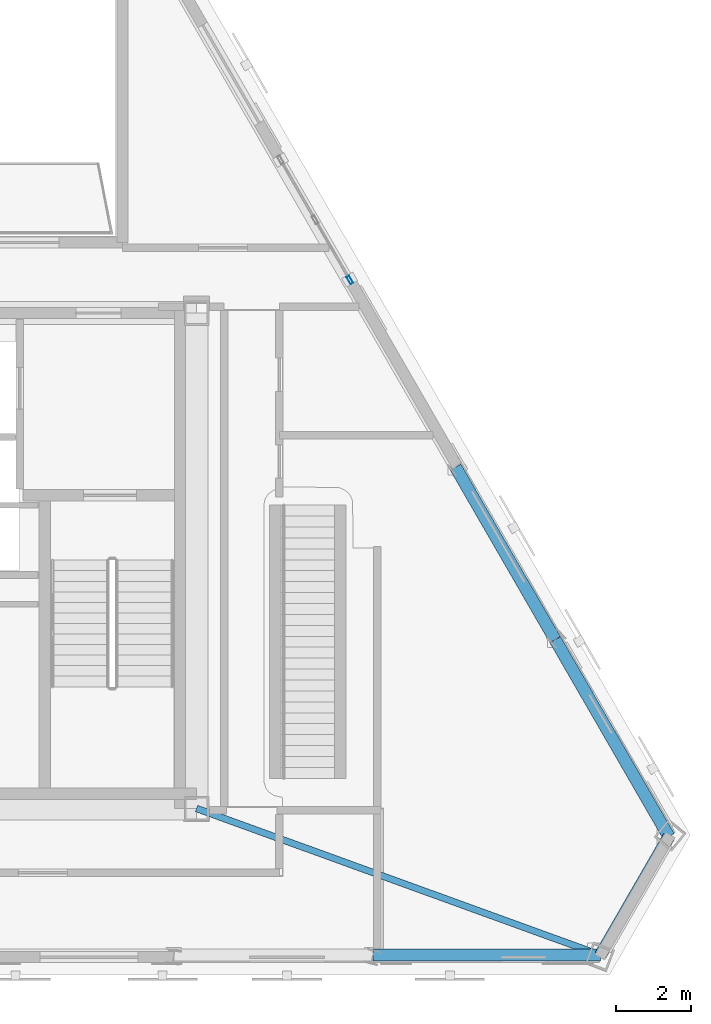
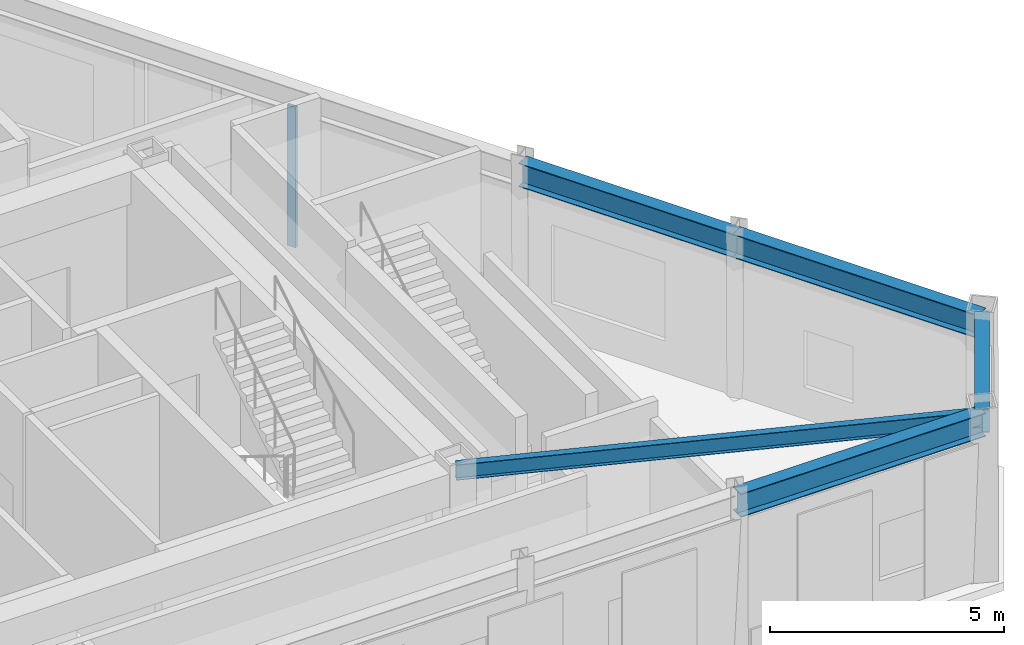
# One storey, part 7 of 15: 5 beams, 1 member, 1 element without a shape of its own.
"""IFC4 building model written with IfcOpenShell, lengths in metres."""

from ifc_helpers import new_model, si_unit, direction, frame, origin, origin_2d, place, context, subcontext, project, spatial, hollow_rectangle, i_section, extrude, material, layer, layer_set, material_profile, profile_set, type_object, element, aggregate, save


model = new_model("IFC4")

# Units and contexts
model_context = context("Model", 3, precision=1e-05, world=origin(), true_north=direction((0.0, 1.0)))
body_context = subcontext(model_context, "Body", "Model", "MODEL_VIEW")
ifc_project = project(units=[si_unit("LENGTHUNIT", "METRE"), si_unit("AREAUNIT", "SQUARE_METRE"), si_unit("VOLUMEUNIT", "CUBIC_METRE"), si_unit("PLANEANGLEUNIT", "RADIAN"), si_unit("MASSUNIT", "GRAM", prefix="KILO")], contexts=[model_context])

# Site, building, storey
site_placement = place(None, origin())
site = spatial("IfcSite", under=ifc_project, at=site_placement, CompositionType="ELEMENT")
building_placement = place(site_placement, origin())
building = spatial("IfcBuilding", under=site, at=building_placement, Name="Oramaril Tower", CompositionType="ELEMENT")
storey_placement = place(building_placement, frame((0.0, 0.0, 305.10009765625)))
storey = spatial("IfcBuildingStorey", under=building, at=storey_placement, Name="L80", CompositionType="ELEMENT", Elevation=305.10009765625)

# Beams
ifc_material_1 = material(Name="Steel ASTM A572 Gr 50", Category="steel")
ifc_material_profile_1 = material_profile(ifc_material_1, i_section(OverallWidth=0.177978515625, OverallDepth=0.404052734375, WebThickness=0.007568359375, FlangeThickness=0.010986328125, at=origin_2d()), Name="W16X36")
ifc_profile_set_1 = profile_set([ifc_material_profile_1], Name="Steel ASTM A572 Gr 50")
beam_type_1 = type_object("IfcBeamType", Name="BT-SB1", PredefinedType="BEAM", material=ifc_profile_set_1)
beam_1_placement = place(storey_placement, frame((45.64990234375, 11.0, 4.077880859375), z_axis=(0.940016333836, -0.341129436022, 0.0), x_axis=(0.341129436022, 0.940016333836, 0.0)))
element("IfcBeam", 1, at=beam_1_placement, inside=storey, type_object=beam_type_1, Name="L80 Radial Primary Beam RB-03", PredefinedType="BEAM", context=body_context, shape_type="SweptSolid", body=[
    extrude(i_section(OverallWidth=0.177978515625, OverallDepth=0.404052734375, WebThickness=0.007568359375, FlangeThickness=0.010986328125, at=origin_2d()), origin(), (0.0, 0.0, 1.0), 11.40576171875),
])
ifc_material_2 = material(Name="Steel ASTM A572 Gr 50", Category="steel")
ifc_material_profile_2 = material_profile(ifc_material_2, i_section(OverallWidth=0.324951171875, OverallDepth=0.612060546875, WebThickness=0.0126953125, FlangeThickness=0.01904296875, at=origin_2d()), Name="W24X104")
ifc_profile_set_2 = profile_set([ifc_material_profile_2], Name="Steel ASTM A572 Gr 50")
beam_type_2 = type_object("IfcBeamType", Name="BT-SP5", PredefinedType="SPANDREL", material=ifc_profile_set_2)
beam_2_placement = place(storey_placement, frame((50.332763671875, 7.109130859375, 3.973876953125), z_axis=(1.0, 0.0, 0.0), x_axis=(0.0, 1.0, 0.0)))
element("IfcBeam", 2, at=beam_2_placement, inside=storey, type_object=beam_type_2, Name="L80 Perimeter Spandrel 06", PredefinedType="SPANDREL", context=body_context, shape_type="SweptSolid", body=[
    extrude(i_section(OverallWidth=0.324951171875, OverallDepth=0.612060546875, WebThickness=0.0126953125, FlangeThickness=0.01904296875, at=origin_2d()), origin(), (0.0, 0.0, 1.0), 6.038818359375),
])
beam_3_placement = place(storey_placement, frame((56.37158203125, 7.109130859375, 3.973876953125), z_axis=(0.499959265134, 0.866048920793, 0.0), x_axis=(-0.866048920793, 0.499959265134, 0.0)))
element("IfcBeam", 3, at=beam_3_placement, inside=storey, type_object=beam_type_2, Name="L80 Perimeter Spandrel 07", PredefinedType="SPANDREL", context=body_context, shape_type="SweptSolid", body=[
    extrude(i_section(OverallWidth=0.324951171875, OverallDepth=0.612060546875, WebThickness=0.0126953125, FlangeThickness=0.01904296875, at=origin_2d()), origin(), (0.0, 0.0, 1.0), 3.629150390625),
])
beam_4_placement = place(storey_placement, frame((58.18603515625, 10.252197265625, 3.973876953125), z_axis=(-0.500017582694, 0.866015252174, 0.0), x_axis=(-0.866015252174, -0.500017582694, 0.0)))
element("IfcBeam", 4, at=beam_4_placement, inside=storey, type_object=beam_type_2, Name="L80 Perimeter Spandrel 08", PredefinedType="SPANDREL", context=body_context, shape_type="SweptSolid", body=[
    extrude(i_section(OverallWidth=0.324951171875, OverallDepth=0.612060546875, WebThickness=0.0126953125, FlangeThickness=0.01904296875, at=origin_2d()), origin(), (0.0, 0.0, 1.0), 6.038818359375),
])
beam_5_placement = place(storey_placement, frame((55.16650390625, 15.48193359375, 3.973876953125), z_axis=(-0.499970425436, 0.866042477994, 0.0), x_axis=(-0.866042477994, -0.499970425436, 0.0)))
element("IfcBeam", 5, at=beam_5_placement, inside=storey, type_object=beam_type_2, Name="L80 Perimeter Spandrel 09", PredefinedType="SPANDREL", context=body_context, shape_type="SweptSolid", body=[
    extrude(i_section(OverallWidth=0.324951171875, OverallDepth=0.612060546875, WebThickness=0.0126953125, FlangeThickness=0.01904296875, at=origin_2d()), origin(), (0.0, 0.0, 1.0), 5.283935546875),
])

# Curtain wall, member
ifc_material_3 = material(Name="Anodised Aluminium 6063-T6", Category="aluminium")
ifc_layer = layer(ifc_material_3, 0.219970703125)
ifc_layer_set = layer_set([ifc_layer], Name="CWT-SYS6")
curtain_wall_type = type_object("IfcCurtainWallType", Name="CWT-SYS6", PredefinedType="NOTDEFINED", material=ifc_layer_set)
curtain_wall_placement = place(storey_placement, origin())
curtain_wall = element("IfcCurtainWall", 6, at=curtain_wall_placement, inside=storey, type_object=curtain_wall_type, Name="L80 Unitised Curtain Wall CW-6", PredefinedType="NOTDEFINED")
ifc_material_4 = material(Name="Anodised Aluminium 6063-T6", Category="aluminium")
ifc_material_profile_3 = material_profile(ifc_material_4, hollow_rectangle(XDim=0.080078125, YDim=0.219970703125, WallThickness=0.00390625, at=origin_2d()), Name="CWM220X80")
ifc_profile_set_3 = profile_set([ifc_material_profile_3], Name="Anodised Aluminium 6063-T6")
member_type = type_object("IfcMemberType", Name="MT-CWM1", PredefinedType="MULLION", material=ifc_profile_set_3)
member_placement = place(storey_placement, frame((49.718505859375, 25.02978515625, 0.0), z_axis=(0.0, 0.0, 1.0), x_axis=(-0.866025463091, -0.499999897278, 0.0)))
member = element("IfcMember", 7, at=member_placement, type_object=member_type, Name="CW-6 mullion 1", PredefinedType="MULLION", context=body_context, shape_type="SweptSolid", body=[
    extrude(hollow_rectangle(XDim=0.080078125, YDim=0.219970703125, WallThickness=0.00390625, at=origin_2d()), origin(), (0.0, 0.0, 1.0), 3.657958984375),
])
aggregate(curtain_wall, [member])

save(model, "model.ifc")
